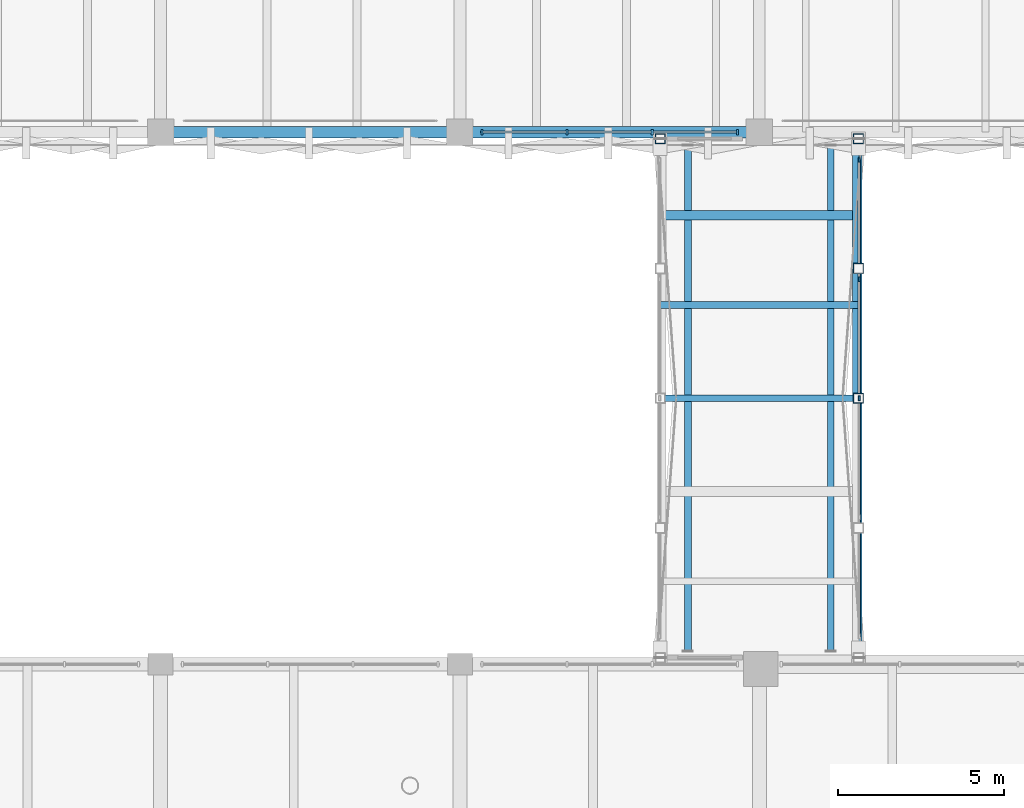
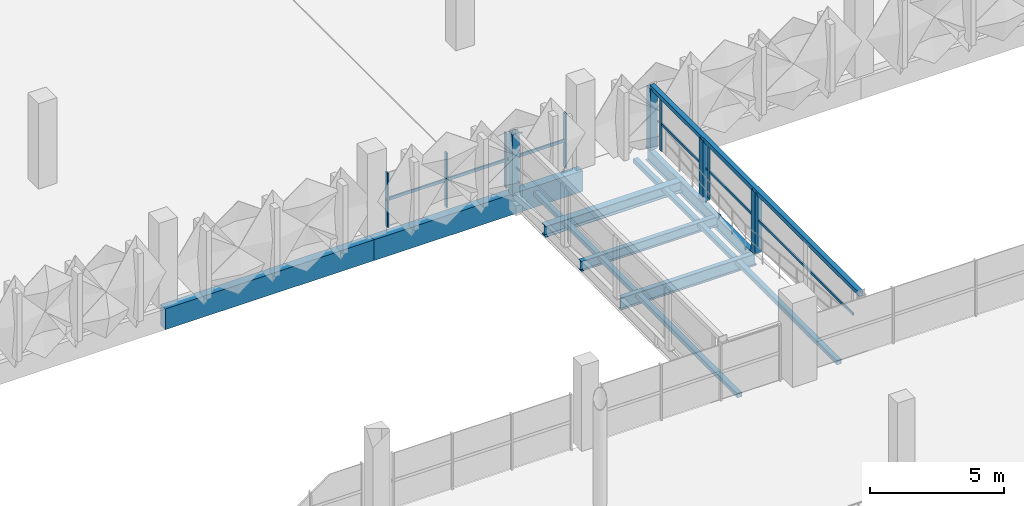
# One storey, part 34 of 123: 16 members, 6 beams, 2 elements without a shape of their own.
"""IFC4 building model written with IfcOpenShell, lengths in metres."""

from ifc_helpers import new_model, si_unit, derived_unit, direction, frame, origin, origin_2d, place, context, subcontext, project, spatial, rectangle, hollow_rectangle, i_section, extrude, material, layer, layer_set, material_profile, profile_set, type_object, element, aggregate, save


model = new_model("IFC4")

# Units and contexts
model_context = context("Model", 3, precision=1e-05, world=origin(), true_north=direction((0.0, 1.0)))
body_context = subcontext(model_context, "Body", "Model", "MODEL_VIEW")
ifc_project = project(units=[si_unit("LENGTHUNIT", "METRE"), si_unit("AREAUNIT", "SQUARE_METRE"), si_unit("VOLUMEUNIT", "CUBIC_METRE"), si_unit("PLANEANGLEUNIT", "RADIAN"), si_unit("MASSUNIT", "GRAM", prefix="KILO"), si_unit("THERMODYNAMICTEMPERATUREUNIT", "KELVIN"), derived_unit("THERMALTRANSMITTANCEUNIT", [(si_unit("POWERUNIT", "WATT"), 1), (si_unit("AREAUNIT", "SQUARE_METRE"), -1), (si_unit("THERMODYNAMICTEMPERATUREUNIT", "KELVIN"), -1)])], contexts=[model_context])

# Site, building, storey
site_placement = place(None, origin())
site = spatial("IfcSite", under=ifc_project, at=site_placement, CompositionType="ELEMENT")
building_placement = place(site_placement, origin())
building = spatial("IfcBuilding", under=site, at=building_placement, Name="Haiyu Intermodal Mobility Hub", CompositionType="ELEMENT")
storey_placement = place(building_placement, frame((0.0, 0.0, 5.60009765625)))
storey = spatial("IfcBuildingStorey", under=building, at=storey_placement, Name="L01", CompositionType="ELEMENT", Elevation=5.60009765625)

# Beams
ifc_material_1 = material(Name="Steel Q355C", Category="steel")
ifc_material_profile_1 = material_profile(ifc_material_1, i_section(OverallWidth=0.199951171875, OverallDepth=0.60009765625, WebThickness=0.010986328125, FlangeThickness=0.01708984375, FilletRadius=0.02197265625, at=origin_2d()), Name="HN600x200x11x17")
ifc_profile_set_1 = profile_set([ifc_material_profile_1], Name="Steel Q355C")
beam_type_1 = type_object("IfcBeamType", Name="BM-SB04-EXT", PredefinedType="BEAM", material=ifc_profile_set_1)
beam_1_placement = place(storey_placement, frame((98.89990234375, 96.0, -0.56005859375), z_axis=(0.0, 1.0, 0.0), x_axis=(-1.0, 0.0, 0.0)))
element("IfcBeam", 1, at=beam_1_placement, inside=storey, type_object=beam_type_1, Name="BM-BRG-L01-005", PredefinedType="BEAM", context=body_context, shape_type="SweptSolid", body=[
    extrude(i_section(OverallWidth=0.199951171875, OverallDepth=0.60009765625, WebThickness=0.010986328125, FlangeThickness=0.01708984375, FilletRadius=0.02197265625, at=origin_2d()), origin(), (0.0, 0.0, 1.0), 8.0),
])
ifc_material_profile_2 = material_profile(ifc_material_1, i_section(OverallWidth=0.199951171875, OverallDepth=0.550048828125, WebThickness=0.010009765625, FlangeThickness=0.01611328125, FilletRadius=0.02001953125, at=origin_2d()), Name="HN550x200x10x16")
ifc_profile_set_2 = profile_set([ifc_material_profile_2], Name="Steel Q355C")
beam_type_2 = type_object("IfcBeamType", Name="BM-SB05-EXT", PredefinedType="BEAM", material=ifc_profile_set_2)
beam_2_placement = place(storey_placement, frame((93.10009765625, 96.0, -0.53515625), z_axis=(1.0, 0.0, 0.0), x_axis=(0.0, 1.0, 0.0)))
element("IfcBeam", 2, at=beam_2_placement, inside=storey, type_object=beam_type_2, Name="BM-BRGH-L01-001", PredefinedType="BEAM", context=body_context, shape_type="SweptSolid", body=[
    extrude(i_section(OverallWidth=0.199951171875, OverallDepth=0.550048828125, WebThickness=0.010009765625, FlangeThickness=0.01611328125, FilletRadius=0.02001953125, at=origin_2d()), origin(), (0.0, 0.0, 1.0), 5.7998046875),
])
ifc_material_profile_3 = material_profile(ifc_material_1, i_section(OverallWidth=0.199951171875, OverallDepth=0.449951171875, WebThickness=0.009033203125, FlangeThickness=0.013916015625, FilletRadius=0.01806640625, at=origin_2d()), Name="HN450x200x9x14")
ifc_profile_set_3 = profile_set([ifc_material_profile_3], Name="Steel Q355C")
beam_type_3 = type_object("IfcBeamType", Name="BM-SB07-EXT", PredefinedType="JOIST", material=ifc_profile_set_3)
beam_3_placement = place(storey_placement, frame((92.97998046875, 98.800048828125, -0.485107421875), z_axis=(1.0, 0.0, 0.0), x_axis=(0.0, 1.0, 0.0)))
element("IfcBeam", 3, at=beam_3_placement, inside=storey, type_object=beam_type_3, Name="BM-BRGJ-L01-008", PredefinedType="JOIST", context=body_context, shape_type="SweptSolid", body=[
    extrude(i_section(OverallWidth=0.199951171875, OverallDepth=0.449951171875, WebThickness=0.009033203125, FlangeThickness=0.013916015625, FilletRadius=0.01806640625, at=origin_2d()), origin(), (0.0, 0.0, 1.0), 6.0400390625),
])
ifc_material_profile_4 = material_profile(ifc_material_1, i_section(OverallWidth=0.300048828125, OverallDepth=0.5, WebThickness=0.010986328125, FlangeThickness=0.01806640625, FilletRadius=0.02001953125, at=origin_2d()), Name="HM500x300x11x18")
ifc_profile_set_4 = profile_set([ifc_material_profile_4], Name="Steel Q355C")
beam_type_4 = type_object("IfcBeamType", Name="BM-SB12", PredefinedType="BEAM", material=ifc_profile_set_4)
beam_4_placement = place(storey_placement, frame((92.97998046875, 101.5, -0.510009765625), z_axis=(1.0, 0.0, 0.0), x_axis=(0.0, 1.0, 0.0)))
element("IfcBeam", 4, at=beam_4_placement, inside=storey, type_object=beam_type_4, Name="BM-BRGJ-L01-009", PredefinedType="BEAM", context=body_context, shape_type="SweptSolid", body=[
    extrude(i_section(OverallWidth=0.300048828125, OverallDepth=0.5, WebThickness=0.010986328125, FlangeThickness=0.01806640625, FilletRadius=0.02001953125, at=origin_2d()), origin(), (0.0, 0.0, 1.0), 6.0400390625),
])
ifc_material_2 = material(Name="Precast concrete C40", Category="concrete")
ifc_material_profile_5 = material_profile(ifc_material_2, rectangle(XDim=0.35009765625, YDim=0.949951171875, at=origin_2d()), Name="PC350x950")
ifc_profile_set_5 = profile_set([ifc_material_profile_5], Name="Precast concrete C40")
beam_type_5 = type_object("IfcBeamType", Name="BM-SP01", PredefinedType="SPANDREL", material=ifc_profile_set_5)
for number, where, z_axis, x_axis, name in (
    (5, (78.0, 104.0, -0.75), (1.0, 0.0, 0.0), (0.0, 1.0, 0.0), "BM-V4G-L01-008"),
    (6, (87.0, 104.0, -0.75), (1.0, 0.0, 0.0), (0.0, 1.0, 0.0), "BM-V4G-L01-009"),
):
    element("IfcBeam", number, at=place(storey_placement, frame(where, z_axis=z_axis, x_axis=x_axis)), inside=storey, type_object=beam_type_5, Name=name, PredefinedType="SPANDREL", context=body_context, shape_type="SweptSolid", body=[
        extrude(rectangle(XDim=0.35009765625, YDim=0.949951171875, at=origin_2d()), origin(), (0.0, 0.0, 1.0), 9.0),
    ])

# Curtain wall, members
ifc_material_3 = material(Name="Low-e laminated insulating glass", Category="glass")
ifc_layer_1 = layer(ifc_material_3, 0.25)
ifc_layer_set_1 = layer_set([ifc_layer_1], Name="Low-e laminated insulating glass")
curtain_wall_type_1 = type_object("IfcCurtainWallType", Name="CW-CW02", PredefinedType="NOTDEFINED", material=ifc_layer_set_1)
curtain_wall_1_placement = place(storey_placement, origin())
curtain_wall_1 = element("IfcCurtainWall", 7, at=curtain_wall_1_placement, inside=storey, type_object=curtain_wall_type_1, Name="Curtain Wall CW-V4SC-L01-079", PredefinedType="NOTDEFINED")
ifc_material_4 = material(Name="Anodised aluminium 6063-T6", Category="aluminium")
ifc_material_profile_6 = material_profile(ifc_material_4, rectangle(XDim=0.06494140625, YDim=0.1650390625, at=origin_2d()), Name="ALU65x165")
ifc_profile_set_6 = profile_set([ifc_material_profile_6], Name="Anodised aluminium 6063-T6")
member_type_1 = type_object("IfcMemberType", Name="CWM-ML02", PredefinedType="MULLION", material=ifc_profile_set_6)
member_1_placement = place(storey_placement, frame((87.659912109375, 104.0, 0.0), z_axis=(0.0, 0.0, 1.0), x_axis=(1.0, 0.0, 0.0)))
member_1 = element("IfcMember", 8, at=member_1_placement, type_object=member_type_1, Name="CW-V4SC-L01-079-ML01", PredefinedType="MULLION", context=body_context, shape_type="SweptSolid", body=[
    extrude(rectangle(XDim=0.06494140625, YDim=0.1650390625, at=origin_2d()), origin(), (0.0, 0.0, 1.0), 2.47998046875),
])
member_2_placement = place(storey_placement, frame((90.219970703125, 104.0, 0.0), z_axis=(0.0, 0.0, 1.0), x_axis=(1.0, 0.0, 0.0)))
member_2 = element("IfcMember", 9, at=member_2_placement, type_object=member_type_1, Name="CW-V4SC-L01-079-ML02", PredefinedType="MULLION", context=body_context, shape_type="SweptSolid", body=[
    extrude(rectangle(XDim=0.06494140625, YDim=0.1650390625, at=origin_2d()), origin(), (0.0, 0.0, 1.0), 2.47998046875),
])
member_3_placement = place(storey_placement, frame((92.780029296875, 104.0, 0.0), z_axis=(0.0, 0.0, 1.0), x_axis=(1.0, 0.0, 0.0)))
member_3 = element("IfcMember", 10, at=member_3_placement, type_object=member_type_1, Name="CW-V4SC-L01-079-ML03", PredefinedType="MULLION", context=body_context, shape_type="SweptSolid", body=[
    extrude(rectangle(XDim=0.06494140625, YDim=0.1650390625, at=origin_2d()), origin(), (0.0, 0.0, 1.0), 2.47998046875),
])
member_4_placement = place(storey_placement, frame((95.340087890625, 104.0, 0.0), z_axis=(0.0, 0.0, 1.0), x_axis=(1.0, 0.0, 0.0)))
member_4 = element("IfcMember", 11, at=member_4_placement, type_object=member_type_1, Name="CW-V4SC-L01-079-ML04", PredefinedType="MULLION", context=body_context, shape_type="SweptSolid", body=[
    extrude(rectangle(XDim=0.06494140625, YDim=0.1650390625, at=origin_2d()), origin(), (0.0, 0.0, 1.0), 2.47998046875),
])

ifc_layer_2 = layer(ifc_material_3, 0.2099609375)
ifc_layer_set_2 = layer_set([ifc_layer_2], Name="Low-e laminated insulating glass")
curtain_wall_type_2 = type_object("IfcCurtainWallType", Name="CW-CW04", PredefinedType="NOTDEFINED", material=ifc_layer_set_2)
curtain_wall_2_placement = place(storey_placement, origin())
curtain_wall_2 = element("IfcCurtainWall", 12, at=curtain_wall_2_placement, inside=storey, type_object=curtain_wall_type_2, Name="Curtain Wall CW-BRG-BWE-L01-081", PredefinedType="NOTDEFINED")
ifc_material_profile_7 = material_profile(ifc_material_4, rectangle(XDim=0.06005859375, YDim=0.14501953125, at=origin_2d()), Name="ALU60x145")
ifc_profile_set_7 = profile_set([ifc_material_profile_7], Name="Anodised aluminium 6063-T6")
member_type_2 = type_object("IfcMemberType", Name="CWM-ML03", PredefinedType="MULLION", material=ifc_profile_set_7)
member_5_placement = place(storey_placement, frame((99.0, 96.0, 0.0), z_axis=(0.0, 0.0, 1.0), x_axis=(1.0, 0.0, 0.0)))
member_5 = element("IfcMember", 13, at=member_5_placement, type_object=member_type_2, Name="CW-BRG-BWE-L01-081-ML03", PredefinedType="MULLION", context=body_context, shape_type="SweptSolid", body=[
    extrude(rectangle(XDim=0.06005859375, YDim=0.14501953125, at=origin_2d()), origin(), (0.0, 0.0, 1.0), 2.47998046875),
])
member_6_placement = place(storey_placement, frame((99.0, 99.580078125, 0.0), z_axis=(0.0, 0.0, 1.0), x_axis=(1.0, 0.0, 0.0)))
member_6 = element("IfcMember", 14, at=member_6_placement, type_object=member_type_2, Name="CW-BRG-BWE-L01-081-ML04", PredefinedType="MULLION", context=body_context, shape_type="SweptSolid", body=[
    extrude(rectangle(XDim=0.06005859375, YDim=0.14501953125, at=origin_2d()), origin(), (0.0, 0.0, 1.0), 2.47998046875),
])
member_7_placement = place(storey_placement, frame((99.0, 103.159912109375, 0.0), z_axis=(0.0, 0.0, 1.0), x_axis=(1.0, 0.0, 0.0)))
member_7 = element("IfcMember", 15, at=member_7_placement, type_object=member_type_2, Name="CW-BRG-BWE-L01-081-ML05", PredefinedType="MULLION", context=body_context, shape_type="SweptSolid", body=[
    extrude(rectangle(XDim=0.06005859375, YDim=0.14501953125, at=origin_2d()), origin(), (0.0, 0.0, 1.0), 2.47998046875),
])

# Member
ifc_material_profile_8 = material_profile(ifc_material_4, rectangle(XDim=0.06494140625, YDim=0.135009765625, at=origin_2d()), Name="ALU65x135")
ifc_profile_set_8 = profile_set([ifc_material_profile_8], Name="Anodised aluminium 6063-T6")
member_type_3 = type_object("IfcMemberType", Name="CWM-TR02", PredefinedType="USERDEFINED", material=ifc_profile_set_8)
member_8_placement = place(storey_placement, frame((87.6201171875, 104.0, 1.239990234375), z_axis=(1.0, 0.0, 0.0), x_axis=(0.0, 1.0, 0.0)))
member_8 = element("IfcMember", 16, at=member_8_placement, type_object=member_type_3, Name="CW-V4SC-L01-079-TR01", ObjectType="TRANSOM", PredefinedType="USERDEFINED", context=body_context, shape_type="SweptSolid", body=[
    extrude(rectangle(XDim=0.06494140625, YDim=0.135009765625, at=origin_2d()), origin(), (0.0, 0.0, 1.0), 7.759765625),
])

aggregate(curtain_wall_1, [member_1, member_2, member_3, member_4, member_8])

ifc_material_profile_9 = material_profile(ifc_material_4, rectangle(XDim=0.06005859375, YDim=0.114990234375, at=origin_2d()), Name="ALU60x115")
ifc_profile_set_9 = profile_set([ifc_material_profile_9], Name="Anodised aluminium 6063-T6")
member_type_4 = type_object("IfcMemberType", Name="CWM-TR03", PredefinedType="USERDEFINED", material=ifc_profile_set_9)
member_9_placement = place(storey_placement, frame((99.0, 88.800048828125, 1.239990234375), z_axis=(0.0, 1.0, 0.0), x_axis=(-1.0, 0.0, 0.0)))
member_9 = element("IfcMember", 17, at=member_9_placement, type_object=member_type_4, Name="CW-BRG-BWE-L01-081-TR01", ObjectType="TRANSOM", PredefinedType="USERDEFINED", context=body_context, shape_type="SweptSolid", body=[
    extrude(rectangle(XDim=0.06005859375, YDim=0.114990234375, at=origin_2d()), origin(), (0.0, 0.0, 1.0), 14.39990234375),
])

aggregate(curtain_wall_2, [member_5, member_6, member_7, member_9])

# Members
ifc_material_profile_10 = material_profile(ifc_material_1, hollow_rectangle(XDim=0.300048828125, YDim=0.300048828125, WallThickness=0.011962890625, at=origin_2d()), Name="SHS300x300x12")
ifc_profile_set_10 = profile_set([ifc_material_profile_10], Name="Steel Q355C")
member_type_5 = type_object("IfcMemberType", Name="MEM-BR04", PredefinedType="BRACE", material=ifc_profile_set_10)
for number, where, z_axis, x_axis, name in (
    (18, (93.02001953125, 103.800048828125, -0.239990234375), (0.0, 0.0, 1.0), (1.0, 0.0, 0.0), "Bridge Vierendeel Frame Post BWW-5"),
    (19, (98.97998046875, 96.0, -0.239990234375), (0.0, 0.0, 1.0), (1.0, 0.0, 0.0), "Bridge Vierendeel Frame Post BWE-3"),
    (20, (98.97998046875, 99.89990234375, -0.239990234375), (0.0, 0.0, 1.0), (1.0, 0.0, 0.0), "Bridge Vierendeel Frame Post BWE-4"),
    (21, (98.97998046875, 103.800048828125, -0.239990234375), (0.0, 0.0, 1.0), (1.0, 0.0, 0.0), "Bridge Vierendeel Frame Post BWE-5"),
):
    element("IfcMember", number, at=place(storey_placement, frame(where, z_axis=z_axis, x_axis=x_axis)), inside=storey, type_object=member_type_5, Name=name, PredefinedType="BRACE", context=body_context, shape_type="SweptSolid", body=[
        extrude(hollow_rectangle(XDim=0.300048828125, YDim=0.300048828125, WallThickness=0.011962890625, at=origin_2d()), origin(), (0.0, 0.0, 1.0), 2.789794921875),
    ])
ifc_material_profile_11 = material_profile(ifc_material_1, hollow_rectangle(XDim=0.199951171875, YDim=0.199951171875, WallThickness=0.008056640625, at=origin_2d()), Name="SHS200x200x8")
ifc_profile_set_11 = profile_set([ifc_material_profile_11], Name="Steel Q355C")
member_type_6 = type_object("IfcMemberType", Name="MEM-CH02", PredefinedType="CHORD", material=ifc_profile_set_11)
member_10_placement = place(storey_placement, frame((98.97998046875, 88.199951171875, 2.5498046875), z_axis=(0.0, 1.0, 0.0), x_axis=(-1.0, 0.0, 0.0)))
element("IfcMember", 22, at=member_10_placement, inside=storey, type_object=member_type_6, Name="MEM-BRGTC-BWE", PredefinedType="CHORD", context=body_context, shape_type="SweptSolid", body=[
    extrude(hollow_rectangle(XDim=0.199951171875, YDim=0.199951171875, WallThickness=0.008056640625, at=origin_2d()), origin(), (0.0, 0.0, 1.0), 15.60009765625),
])
ifc_material_profile_12 = material_profile(ifc_material_1, hollow_rectangle(XDim=0.199951171875, YDim=0.199951171875, WallThickness=0.008056640625, at=origin_2d()), Name="SHS200x200x8")
ifc_profile_set_12 = profile_set([ifc_material_profile_12], Name="Steel Q355C")
member_type_7 = type_object("IfcMemberType", Name="MEM-CH02-INT", PredefinedType="CHORD", material=ifc_profile_set_12)
for number, where, z_axis, x_axis, name in (
    (23, (93.85400390625, 88.39990234375, -0.400146484375), (0.0, 1.0, 0.0), (-1.0, 0.0, 0.0), "MEM-BRGBC-BWW"),
    (24, (98.14599609375, 88.39990234375, -0.400146484375), (0.0, 1.0, 0.0), (-1.0, 0.0, 0.0), "MEM-BRGBC-BWE"),
):
    element("IfcMember", number, at=place(storey_placement, frame(where, z_axis=z_axis, x_axis=x_axis)), inside=storey, type_object=member_type_7, Name=name, PredefinedType="CHORD", context=body_context, shape_type="SweptSolid", body=[
        extrude(hollow_rectangle(XDim=0.199951171875, YDim=0.199951171875, WallThickness=0.008056640625, at=origin_2d()), origin(), (0.0, 0.0, 1.0), 15.2001953125),
    ])

save(model, "model.ifc")
